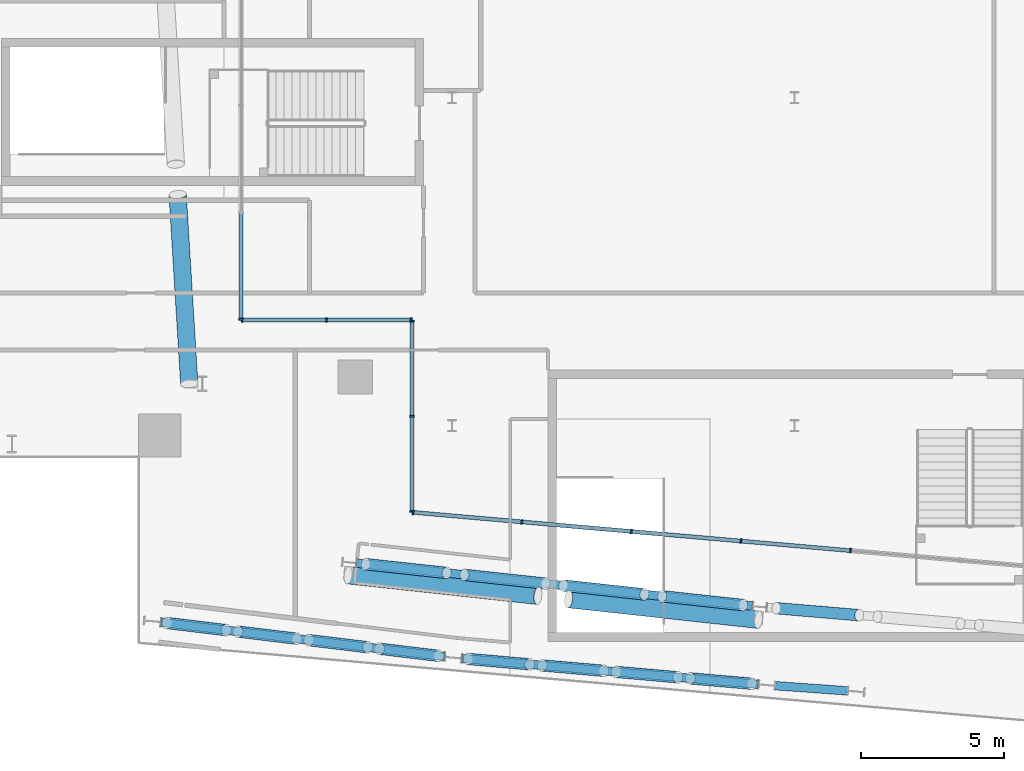
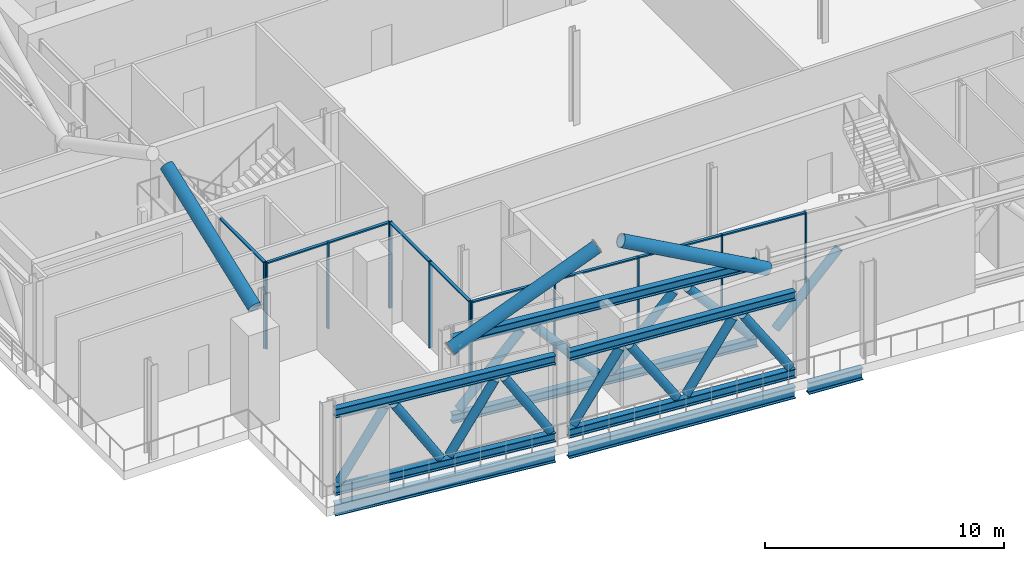
# One storey, part 5 of 35: 43 members, 3 beams, 4 elements without a shape of their own.
"""IFC4 building model written with IfcOpenShell, lengths in metres."""

from ifc_helpers import new_model, si_unit, direction, frame, origin, origin_2d, place, context, subcontext, project, spatial, rectangle, hollow_circle, i_section, extrude, material, material_profile, profile_set, type_object, element, aggregate, save


model = new_model("IFC4")

# Units and contexts
model_context = context("Model", 3, precision=1e-05, world=origin(), true_north=direction((0.0, 1.0)))
body_context = subcontext(model_context, "Body", "Model", "MODEL_VIEW")
ifc_project = project(units=[si_unit("LENGTHUNIT", "METRE"), si_unit("AREAUNIT", "SQUARE_METRE"), si_unit("VOLUMEUNIT", "CUBIC_METRE"), si_unit("PLANEANGLEUNIT", "RADIAN"), si_unit("MASSUNIT", "GRAM", prefix="KILO")], contexts=[model_context])

# Site, building, storey
site_placement = place(None, origin())
site = spatial("IfcSite", under=ifc_project, at=site_placement, CompositionType="ELEMENT")
building_placement = place(site_placement, origin())
building = spatial("IfcBuilding", under=site, at=building_placement, Name="Wharfspan Tower", CompositionType="ELEMENT")
storey_placement = place(building_placement, frame((0.0, 0.0, 202.300049)))
storey = spatial("IfcBuildingStorey", under=building, at=storey_placement, Name="L50", CompositionType="ELEMENT", Elevation=202.300049)

# Beams
ifc_material_1 = material(Name="Steel S355J2", Category="steel")
ifc_material_profile_1 = material_profile(ifc_material_1, i_section(OverallWidth=0.300049, OverallDepth=0.600098, WebThickness=0.015381, FlangeThickness=0.030029, FilletRadius=0.0271, at=origin_2d()))
ifc_profile_set_1 = profile_set([ifc_material_profile_1], Name="Steel S355J2")
beam_type = type_object("IfcBeamType", Name="Edge beam HEB 600", PredefinedType="SPANDREL", material=ifc_profile_set_1)
beam_1_placement = place(storey_placement, frame((13.794678, 4.600586, -0.75), z_axis=(0.992758, -0.12013, 0.0), x_axis=(0.12013, 0.992758, 0.0)))
element("IfcBeam", 1, at=beam_1_placement, inside=storey, type_object=beam_type, Name="Edge beam S1 L50 PS1.1 to PS1.2", PredefinedType="SPANDREL", context=body_context, shape_type="SweptSolid", body=[
    extrude(i_section(OverallWidth=0.300049, OverallDepth=0.600098, WebThickness=0.015381, FlangeThickness=0.030029, FilletRadius=0.0271, at=origin_2d()), origin(), (0.0, 0.0, 1.0), 10.013184),
])
beam_2_placement = place(storey_placement, frame((24.343994, 3.334229, -0.75), z_axis=(0.996196, -0.087146, 0.0), x_axis=(0.087146, 0.996196, 0.0)))
element("IfcBeam", 2, at=beam_2_placement, inside=storey, type_object=beam_type, Name="Edge beam S1 L50 PS1.2 to PS1.3", PredefinedType="SPANDREL", context=body_context, shape_type="SweptSolid", body=[
    extrude(i_section(OverallWidth=0.300049, OverallDepth=0.600098, WebThickness=0.015381, FlangeThickness=0.030029, FilletRadius=0.0271, at=origin_2d()), origin(), (0.0, 0.0, 1.0), 10.430176),
])
beam_3_placement = place(storey_placement, frame((35.344482, 2.376709, -0.75), z_axis=(0.997423, -0.07175, 0.0), x_axis=(0.07175, 0.997423, 0.0)))
element("IfcBeam", 3, at=beam_3_placement, inside=storey, type_object=beam_type, Name="Edge beam S1 L50 PS1.3 to PS1.4", PredefinedType="SPANDREL", context=body_context, shape_type="SweptSolid", body=[
    extrude(i_section(OverallWidth=0.300049, OverallDepth=0.600098, WebThickness=0.015381, FlangeThickness=0.030029, FilletRadius=0.0271, at=origin_2d()), origin(), (0.0, 0.0, 1.0), 2.518066),
])

# Curtain wall, members
ifc_material_2 = material(Name="Aluminium 6063-T6", Category="aluminium")
curtain_wall_type = type_object("IfcCurtainWallType", Name="CURTAIN WALL BAND RECESS", PredefinedType="NOTDEFINED", material=ifc_material_2)
curtain_wall_1_placement = place(storey_placement, origin())
curtain_wall_1 = element("IfcCurtainWall", 4, at=curtain_wall_1_placement, inside=storey, type_object=curtain_wall_type, Name="Recess glazing R1", PredefinedType="NOTDEFINED")
ifc_material_profile_2 = material_profile(ifc_material_2, rectangle(XDim=0.159912, YDim=0.060059, at=origin_2d()))
ifc_profile_set_2 = profile_set([ifc_material_profile_2], Name="Aluminium 6063-T6")
member_type_1 = type_object("IfcMemberType", Name="MULLION BAND RECESS 60x160", PredefinedType="MULLION", material=ifc_profile_set_2)
member_1_placement = place(storey_placement, frame((22.570068, 15.199951, 0.0), z_axis=(0.0, 0.0, 1.0), x_axis=(0.0, -1.0, 0.0)))
member_1 = element("IfcMember", 5, at=member_1_placement, type_object=member_type_1, Name="Recess glazing R1 mullion 1", PredefinedType="MULLION", context=body_context, shape_type="SweptSolid", body=[
    extrude(rectangle(XDim=0.159912, YDim=0.060059, at=origin_2d()), origin(), (0.0, 0.0, 1.0), 4.399902),
])
member_2_placement = place(storey_placement, frame((19.600098, 15.199951, 0.0), z_axis=(0.0, 0.0, 1.0), x_axis=(0.0, -1.0, 0.0)))
member_2 = element("IfcMember", 6, at=member_2_placement, type_object=member_type_1, Name="Recess glazing R1 mullion 2", PredefinedType="MULLION", context=body_context, shape_type="SweptSolid", body=[
    extrude(rectangle(XDim=0.159912, YDim=0.060059, at=origin_2d()), origin(), (0.0, 0.0, 1.0), 4.399902),
])
member_3_placement = place(storey_placement, frame((16.629883, 15.199951, 0.0), z_axis=(0.0, 0.0, 1.0), x_axis=(0.0, -1.0, 0.0)))
member_3 = element("IfcMember", 7, at=member_3_placement, type_object=member_type_1, Name="Recess glazing R1 mullion 3", PredefinedType="MULLION", context=body_context, shape_type="SweptSolid", body=[
    extrude(rectangle(XDim=0.159912, YDim=0.060059, at=origin_2d()), origin(), (0.0, 0.0, 1.0), 4.399902),
])

# Curtain wall, member
curtain_wall_2_placement = place(storey_placement, origin())
curtain_wall_2 = element("IfcCurtainWall", 8, at=curtain_wall_2_placement, inside=storey, type_object=curtain_wall_type, Name="Recess glazing R2", PredefinedType="NOTDEFINED")
member_4_placement = place(storey_placement, frame((16.600098, 15.22998, 0.0), z_axis=(0.0, 0.0, 1.0), x_axis=(-1.0, 0.0, 0.0)))
member_4 = element("IfcMember", 9, at=member_4_placement, type_object=member_type_1, Name="Recess glazing R2 mullion 1", PredefinedType="MULLION", context=body_context, shape_type="SweptSolid", body=[
    extrude(rectangle(XDim=0.159912, YDim=0.060059, at=origin_2d()), origin(), (0.0, 0.0, 1.0), 4.399902),
])

# Curtain wall, members
curtain_wall_3_placement = place(storey_placement, origin())
curtain_wall_3 = element("IfcCurtainWall", 10, at=curtain_wall_3_placement, inside=storey, type_object=curtain_wall_type, Name="Recess glazing R6", PredefinedType="NOTDEFINED")
member_5_placement = place(storey_placement, frame((37.971436, 7.112793, 0.0), z_axis=(0.0, 0.0, 1.0), x_axis=(-0.087156, -0.996198, 0.0)))
member_5 = element("IfcMember", 11, at=member_5_placement, type_object=member_type_1, Name="Recess glazing R6 mullion 4", PredefinedType="MULLION", context=body_context, shape_type="SweptSolid", body=[
    extrude(rectangle(XDim=0.159912, YDim=0.060059, at=origin_2d()), origin(), (0.0, 0.0, 1.0), 4.399902),
])
member_6_placement = place(storey_placement, frame((34.128662, 7.448975, 0.0), z_axis=(0.0, 0.0, 1.0), x_axis=(-0.087156, -0.996198, 0.0)))
member_6 = element("IfcMember", 12, at=member_6_placement, type_object=member_type_1, Name="Recess glazing R6 mullion 5", PredefinedType="MULLION", context=body_context, shape_type="SweptSolid", body=[
    extrude(rectangle(XDim=0.159912, YDim=0.060059, at=origin_2d()), origin(), (0.0, 0.0, 1.0), 4.399902),
])
member_7_placement = place(storey_placement, frame((30.285645, 7.785156, 0.0), z_axis=(0.0, 0.0, 1.0), x_axis=(-0.087156, -0.996198, 0.0)))
member_7 = element("IfcMember", 13, at=member_7_placement, type_object=member_type_1, Name="Recess glazing R6 mullion 6", PredefinedType="MULLION", context=body_context, shape_type="SweptSolid", body=[
    extrude(rectangle(XDim=0.159912, YDim=0.060059, at=origin_2d()), origin(), (0.0, 0.0, 1.0), 4.399902),
])
member_8_placement = place(storey_placement, frame((26.442871, 8.121338, 0.0), z_axis=(0.0, 0.0, 1.0), x_axis=(-0.087156, -0.996198, 0.0)))
member_8 = element("IfcMember", 14, at=member_8_placement, type_object=member_type_1, Name="Recess glazing R6 mullion 7", PredefinedType="MULLION", context=body_context, shape_type="SweptSolid", body=[
    extrude(rectangle(XDim=0.159912, YDim=0.060059, at=origin_2d()), origin(), (0.0, 0.0, 1.0), 4.399902),
])
member_9_placement = place(storey_placement, frame((22.629883, 8.454834, 0.0), z_axis=(0.0, 0.0, 1.0), x_axis=(-0.087156, -0.996198, 0.0)))
member_9 = element("IfcMember", 15, at=member_9_placement, type_object=member_type_1, Name="Recess glazing R6 mullion 8", PredefinedType="MULLION", context=body_context, shape_type="SweptSolid", body=[
    extrude(rectangle(XDim=0.159912, YDim=0.060059, at=origin_2d()), origin(), (0.0, 0.0, 1.0), 4.399902),
])

curtain_wall_4_placement = place(storey_placement, origin())
curtain_wall_4 = element("IfcCurtainWall", 16, at=curtain_wall_4_placement, inside=storey, type_object=curtain_wall_type, Name="Recess glazing R7", PredefinedType="NOTDEFINED")
member_10_placement = place(storey_placement, frame((22.600098, 8.487549, 0.0), z_axis=(0.0, 0.0, 1.0), x_axis=(-1.0, 0.0, 0.0)))
member_10 = element("IfcMember", 17, at=member_10_placement, type_object=member_type_1, Name="Recess glazing R7 mullion 1", PredefinedType="MULLION", context=body_context, shape_type="SweptSolid", body=[
    extrude(rectangle(XDim=0.159912, YDim=0.060059, at=origin_2d()), origin(), (0.0, 0.0, 1.0), 4.399902),
])
member_11_placement = place(storey_placement, frame((22.600098, 11.828857, 0.0), z_axis=(0.0, 0.0, 1.0), x_axis=(-1.0, 0.0, 0.0)))
member_11 = element("IfcMember", 18, at=member_11_placement, type_object=member_type_1, Name="Recess glazing R7 mullion 2", PredefinedType="MULLION", context=body_context, shape_type="SweptSolid", body=[
    extrude(rectangle(XDim=0.159912, YDim=0.060059, at=origin_2d()), origin(), (0.0, 0.0, 1.0), 4.399902),
])
member_12_placement = place(storey_placement, frame((22.600098, 15.169922, 0.0), z_axis=(0.0, 0.0, 1.0), x_axis=(-1.0, 0.0, 0.0)))
member_12 = element("IfcMember", 19, at=member_12_placement, type_object=member_type_1, Name="Recess glazing R7 mullion 3", PredefinedType="MULLION", context=body_context, shape_type="SweptSolid", body=[
    extrude(rectangle(XDim=0.159912, YDim=0.060059, at=origin_2d()), origin(), (0.0, 0.0, 1.0), 4.399902),
])

# Members
ifc_material_3 = material(Name="Steel S460NH", Category="steel")
ifc_material_profile_3 = material_profile(ifc_material_3, hollow_circle(Radius=0.304932, WallThickness=0.024902, at=origin_2d()))
ifc_profile_set_3 = profile_set([ifc_material_profile_3], Name="Steel S460NH")
member_type_2 = type_object("IfcMemberType", Name="Mega brace CHS 610x25", PredefinedType="BRACE", material=ifc_profile_set_3)
for number, where, z_axis, x_axis, name in (
    (20, (20.352539, 6.249268, 4.099854), (0.890113, -0.096459, 0.445416), (0.107734, 0.994176, 4e-06), "Mega brace S1 L51 part 1"),
    (21, (34.741699, 4.689941, 4.099854), (-0.890113, 0.096459, 0.445416), (-0.107734, -0.994176, 4e-06), "Mega brace S1 L51 part 3"),
):
    element("IfcMember", number, at=place(storey_placement, frame(where, z_axis=z_axis, x_axis=x_axis)), inside=storey, type_object=member_type_2, Name=name, PredefinedType="BRACE", context=body_context, shape_type="SweptSolid", body=[
        extrude(hollow_circle(Radius=0.304932, WallThickness=0.024902, at=origin_2d()), origin(), (0.0, 0.0, 1.0), 7.474121),
    ])
member_13_placement = place(storey_placement, frame((14.782715, 12.963379, 4.099854), z_axis=(-0.054615, 0.892302, 0.448123), x_axis=(-0.998132, -0.061091, -3e-06)))
element("IfcMember", 22, at=member_13_placement, inside=storey, type_object=member_type_2, Name="Mega brace W4 L51 part 3", PredefinedType="BRACE", context=body_context, shape_type="SweptSolid", body=[
    extrude(hollow_circle(Radius=0.304932, WallThickness=0.024902, at=origin_2d()), origin(), (0.0, 0.0, 1.0), 7.429443),
])

# Member
ifc_material_profile_4 = material_profile(ifc_material_2, rectangle(XDim=0.139893, YDim=0.070068, at=origin_2d()))
ifc_profile_set_4 = profile_set([ifc_material_profile_4], Name="Aluminium 6063-T6")
member_type_3 = type_object("IfcMemberType", Name="TRANSOM BAND RECESS 70x140", PredefinedType="USERDEFINED", material=ifc_profile_set_4)
member_14_placement = place(storey_placement, frame((22.540039, 15.199951, 4.36499), z_axis=(-1.0, 0.0, 0.0), x_axis=(0.0, -1.0, 0.0)))
member_14 = element("IfcMember", 23, at=member_14_placement, type_object=member_type_3, Name="Recess glazing R1 transom 1", ObjectType="TRANSOM", PredefinedType="USERDEFINED", context=body_context, shape_type="SweptSolid", body=[
    extrude(rectangle(XDim=0.139893, YDim=0.070068, at=origin_2d()), origin(), (0.0, 0.0, 1.0), 2.910156),
])

member_15_placement = place(storey_placement, frame((19.570068, 15.199951, 4.36499), z_axis=(-1.0, 0.0, 0.0), x_axis=(0.0, -1.0, 0.0)))
member_15 = element("IfcMember", 24, at=member_15_placement, type_object=member_type_3, Name="Recess glazing R1 transom 2", ObjectType="TRANSOM", PredefinedType="USERDEFINED", context=body_context, shape_type="SweptSolid", body=[
    extrude(rectangle(XDim=0.139893, YDim=0.070068, at=origin_2d()), origin(), (0.0, 0.0, 1.0), 2.910156),
])

aggregate(curtain_wall_1, [member_1, member_2, member_3, member_14, member_15])

member_16_placement = place(storey_placement, frame((16.600098, 15.26001, 4.36499), z_axis=(0.0, 1.0, 0.0), x_axis=(-1.0, 0.0, 0.0)))
member_16 = element("IfcMember", 25, at=member_16_placement, type_object=member_type_3, Name="Recess glazing R2 transom 1", ObjectType="TRANSOM", PredefinedType="USERDEFINED", context=body_context, shape_type="SweptSolid", body=[
    extrude(rectangle(XDim=0.139893, YDim=0.070068, at=origin_2d()), origin(), (0.0, 0.0, 1.0), 3.669922),
])

aggregate(curtain_wall_2, [member_4, member_16])

member_17_placement = place(storey_placement, frame((37.94165, 7.115234, 4.36499), z_axis=(-0.996193, 0.087173, 0.0), x_axis=(-0.087173, -0.996193, 0.0)))
member_17 = element("IfcMember", 26, at=member_17_placement, type_object=member_type_3, Name="Recess glazing R6 transom 4", ObjectType="TRANSOM", PredefinedType="USERDEFINED", context=body_context, shape_type="SweptSolid", body=[
    extrude(rectangle(XDim=0.139893, YDim=0.070068, at=origin_2d()), origin(), (0.0, 0.0, 1.0), 3.797607),
])

member_18_placement = place(storey_placement, frame((34.098633, 7.451416, 4.36499), z_axis=(-0.996193, 0.087179, 0.0), x_axis=(-0.087179, -0.996193, 0.0)))
member_18 = element("IfcMember", 27, at=member_18_placement, type_object=member_type_3, Name="Recess glazing R6 transom 5", ObjectType="TRANSOM", PredefinedType="USERDEFINED", context=body_context, shape_type="SweptSolid", body=[
    extrude(rectangle(XDim=0.139893, YDim=0.070068, at=origin_2d()), origin(), (0.0, 0.0, 1.0), 3.797363),
])

member_19_placement = place(storey_placement, frame((30.255859, 7.787842, 4.36499), z_axis=(-0.996199, 0.08711, 0.0), x_axis=(-0.08711, -0.996199, 0.0)))
member_19 = element("IfcMember", 28, at=member_19_placement, type_object=member_type_3, Name="Recess glazing R6 transom 6", ObjectType="TRANSOM", PredefinedType="USERDEFINED", context=body_context, shape_type="SweptSolid", body=[
    extrude(rectangle(XDim=0.139893, YDim=0.070068, at=origin_2d()), origin(), (0.0, 0.0, 1.0), 3.797607),
])

member_20_placement = place(storey_placement, frame((26.413086, 8.124023, 4.36499), z_axis=(-0.996195, 0.087152, 0.0), x_axis=(-0.087152, -0.996195, 0.0)))
member_20 = element("IfcMember", 29, at=member_20_placement, type_object=member_type_3, Name="Recess glazing R6 transom 7", ObjectType="TRANSOM", PredefinedType="USERDEFINED", context=body_context, shape_type="SweptSolid", body=[
    extrude(rectangle(XDim=0.139893, YDim=0.070068, at=origin_2d()), origin(), (0.0, 0.0, 1.0), 3.767822),
])

aggregate(curtain_wall_3, [member_5, member_6, member_7, member_8, member_9, member_17, member_18, member_19, member_20])

member_21_placement = place(storey_placement, frame((22.600098, 8.517578, 4.36499), z_axis=(0.0, 1.0, 0.0), x_axis=(-1.0, 0.0, 0.0)))
member_21 = element("IfcMember", 30, at=member_21_placement, type_object=member_type_3, Name="Recess glazing R7 transom 1", ObjectType="TRANSOM", PredefinedType="USERDEFINED", context=body_context, shape_type="SweptSolid", body=[
    extrude(rectangle(XDim=0.139893, YDim=0.070068, at=origin_2d()), origin(), (0.0, 0.0, 1.0), 3.28125),
])

member_22_placement = place(storey_placement, frame((22.600098, 11.858887, 4.36499), z_axis=(0.0, 1.0, 0.0), x_axis=(-1.0, 0.0, 0.0)))
member_22 = element("IfcMember", 31, at=member_22_placement, type_object=member_type_3, Name="Recess glazing R7 transom 2", ObjectType="TRANSOM", PredefinedType="USERDEFINED", context=body_context, shape_type="SweptSolid", body=[
    extrude(rectangle(XDim=0.139893, YDim=0.070068, at=origin_2d()), origin(), (0.0, 0.0, 1.0), 3.281006),
])

aggregate(curtain_wall_4, [member_10, member_11, member_12, member_21, member_22])

# Members
ifc_material_profile_5 = material_profile(ifc_material_1, i_section(OverallWidth=0.300049, OverallDepth=0.449951, WebThickness=0.013916, FlangeThickness=0.025879, FilletRadius=0.0271, at=origin_2d()))
ifc_profile_set_5 = profile_set([ifc_material_profile_5], Name="Steel S355J2")
member_type_4 = type_object("IfcMemberType", Name="Truss chord HEB 450", PredefinedType="CHORD", material=ifc_profile_set_5)
for number, where, z_axis, x_axis, name in (
    (32, (20.652832, 6.674316, 4.175049), (0.994179, -0.107744, 0.0), (0.107744, 0.994179, 0.0), "Belt truss chord T L50 S1 PS1.1 to PS1.2"),
    (33, (20.652832, 6.674316, 0.224854), (0.994179, -0.107744, 0.0), (0.107744, 0.994179, 0.0), "Belt truss chord B L50 S1 PS1.1 to PS1.2"),
):
    element("IfcMember", number, at=place(storey_placement, frame(where, z_axis=z_axis, x_axis=x_axis)), inside=storey, type_object=member_type_4, Name=name, PredefinedType="CHORD", context=body_context, shape_type="SweptSolid", body=[
        extrude(i_section(OverallWidth=0.300049, OverallDepth=0.449951, WebThickness=0.013916, FlangeThickness=0.025879, FilletRadius=0.0271, at=origin_2d()), origin(), (0.0, 0.0, 1.0), 13.949219),
    ])
for number, where, z_axis, x_axis, name in (
    (34, (13.798584, 4.600098, 4.175049), (0.992758, -0.12013, 0.0), (0.12013, 0.992758, 0.0), "Belt truss chord T L50 S1 PS1.1.S to PS1.2.S"),
    (35, (13.798584, 4.600098, 0.224854), (0.992758, -0.12013, 0.0), (0.12013, 0.992758, 0.0), "Belt truss chord B L50 S1 PS1.1.S to PS1.2.S"),
):
    element("IfcMember", number, at=place(storey_placement, frame(where, z_axis=z_axis, x_axis=x_axis)), inside=storey, type_object=member_type_4, Name=name, PredefinedType="CHORD", context=body_context, shape_type="SweptSolid", body=[
        extrude(i_section(OverallWidth=0.300049, OverallDepth=0.449951, WebThickness=0.013916, FlangeThickness=0.025879, FilletRadius=0.0271, at=origin_2d()), origin(), (0.0, 0.0, 1.0), 10.005127),
    ])
for number, where, z_axis, x_axis, name in (
    (36, (24.348145, 3.333984, 4.175049), (0.996194, -0.087166, 0.0), (0.087166, 0.996194, 0.0), "Belt truss chord T L50 S1 PS1.2.S to PS1.3.S"),
    (37, (24.348145, 3.333984, 0.224854), (0.996194, -0.087166, 0.0), (0.087166, 0.996194, 0.0), "Belt truss chord B L50 S1 PS1.2.S to PS1.3.S"),
):
    element("IfcMember", number, at=place(storey_placement, frame(where, z_axis=z_axis, x_axis=x_axis)), inside=storey, type_object=member_type_4, Name=name, PredefinedType="CHORD", context=body_context, shape_type="SweptSolid", body=[
        extrude(i_section(OverallWidth=0.300049, OverallDepth=0.449951, WebThickness=0.013916, FlangeThickness=0.025879, FilletRadius=0.0271, at=origin_2d()), origin(), (0.0, 0.0, 1.0), 10.421875),
    ])
ifc_material_profile_6 = material_profile(ifc_material_3, hollow_circle(Radius=0.203125, WallThickness=0.016113, at=origin_2d()))
ifc_profile_set_6 = profile_set([ifc_material_profile_6], Name="Steel S460NH")
member_type_5 = type_object("IfcMemberType", Name="Truss diagonal CHS 406.4x16", PredefinedType="BRACE", material=ifc_profile_set_6)
for number, where, z_axis, x_axis, name in (
    (38, (20.968262, 6.640137, 0.584473), (0.65799, -0.071316, 0.749642), (0.107756, 0.994179, -2e-06), "Belt truss diagonal L50 S1 PS1.1 to PS1.2 1"),
    (39, (24.435303, 6.264404, 3.81543), (0.65799, -0.071316, -0.749642), (0.107756, 0.994179, 2e-06), "Belt truss diagonal L50 S1 PS1.1 to PS1.2 2"),
    (40, (27.902344, 5.888672, 0.584473), (0.65799, -0.071316, 0.749642), (0.107756, 0.994179, -2e-06), "Belt truss diagonal L50 S1 PS1.1 to PS1.2 3"),
    (41, (31.369385, 5.512939, 3.81543), (0.65799, -0.071316, -0.749642), (0.107756, 0.994179, 2e-06), "Belt truss diagonal L50 S1 PS1.1 to PS1.2 4"),
):
    element("IfcMember", number, at=place(storey_placement, frame(where, z_axis=z_axis, x_axis=x_axis)), inside=storey, type_object=member_type_5, Name=name, PredefinedType="BRACE", context=body_context, shape_type="SweptSolid", body=[
        extrude(hollow_circle(Radius=0.203125, WallThickness=0.016113, at=origin_2d()), origin(), (0.0, 0.0, 1.0), 4.310059),
    ])
member_23_placement = place(storey_placement, frame((35.367432, 5.093994, 0.586182), z_axis=(0.667906, -0.056248, 0.742117), x_axis=(0.083922, 0.996476, -3e-06)))
element("IfcMember", 42, at=member_23_placement, inside=storey, type_object=member_type_5, Name="Belt truss diagonal L50 S1 PS1.2 to PS1.3 1", PredefinedType="BRACE", context=body_context, shape_type="SweptSolid", body=[
    extrude(hollow_circle(Radius=0.203125, WallThickness=0.016113, at=origin_2d()), origin(), (0.0, 0.0, 1.0), 4.349121),
])
for number, where, z_axis, x_axis, name in (
    (43, (14.008545, 4.574707, 0.558594), (0.531081, -0.06428, 0.844879), (0.120159, 0.992753, 0.0), "Belt truss diagonal L50 S1 PS1.1.S to PS1.2.S 1"),
    (44, (16.491699, 4.27417, 3.841309), (0.531083, -0.064218, -0.844883), (0.120043, 0.992769, -1e-06), "Belt truss diagonal L50 S1 PS1.1.S to PS1.2.S 2"),
    (45, (18.974854, 3.973877, 0.558594), (0.531081, -0.06428, 0.844879), (0.120159, 0.992753, 0.0), "Belt truss diagonal L50 S1 PS1.1.S to PS1.2.S 3"),
    (46, (21.458008, 3.67334, 3.841309), (0.531081, -0.06428, -0.844879), (0.120159, 0.992753, 0.0), "Belt truss diagonal L50 S1 PS1.1.S to PS1.2.S 4"),
):
    element("IfcMember", number, at=place(storey_placement, frame(where, z_axis=z_axis, x_axis=x_axis)), inside=storey, type_object=member_type_5, Name=name, PredefinedType="BRACE", context=body_context, shape_type="SweptSolid", body=[
        extrude(hollow_circle(Radius=0.203125, WallThickness=0.016113, at=origin_2d()), origin(), (0.0, 0.0, 1.0), 3.885498),
    ])
for number, where, z_axis, x_axis, name in (
    (47, (24.569336, 3.314697, 0.561768), (0.548507, -0.048021, 0.834766), (0.087215, 0.99619, 0.0), "Belt truss diagonal L50 S1 PS1.2.S to PS1.3.S 1"),
    (48, (27.165039, 3.087402, 3.838135), (0.548509, -0.047959, -0.834768), (0.0871, 0.996201, -2e-06), "Belt truss diagonal L50 S1 PS1.2.S to PS1.3.S 2"),
    (49, (29.760498, 2.860352, 0.561768), (0.548509, -0.047959, 0.834768), (0.0871, 0.996201, 2e-06), "Belt truss diagonal L50 S1 PS1.2.S to PS1.3.S 3"),
    (50, (32.356201, 2.633301, 3.838135), (0.548509, -0.047959, -0.834768), (0.0871, 0.996201, -2e-06), "Belt truss diagonal L50 S1 PS1.2.S to PS1.3.S 4"),
):
    element("IfcMember", number, at=place(storey_placement, frame(where, z_axis=z_axis, x_axis=x_axis)), inside=storey, type_object=member_type_5, Name=name, PredefinedType="BRACE", context=body_context, shape_type="SweptSolid", body=[
        extrude(hollow_circle(Radius=0.203125, WallThickness=0.016113, at=origin_2d()), origin(), (0.0, 0.0, 1.0), 3.924805),
    ])

save(model, "model.ifc")
